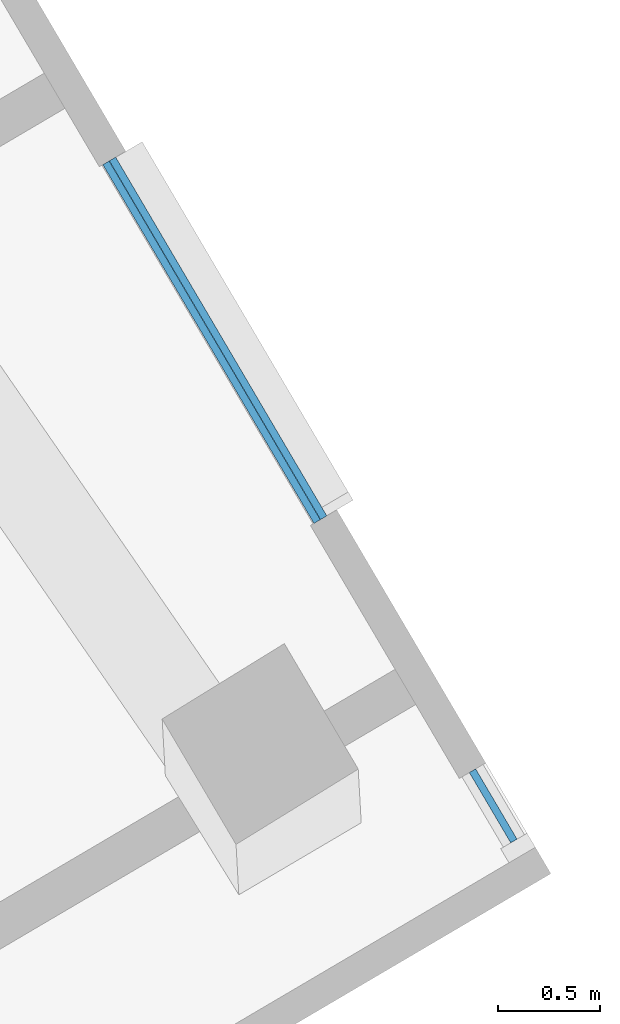
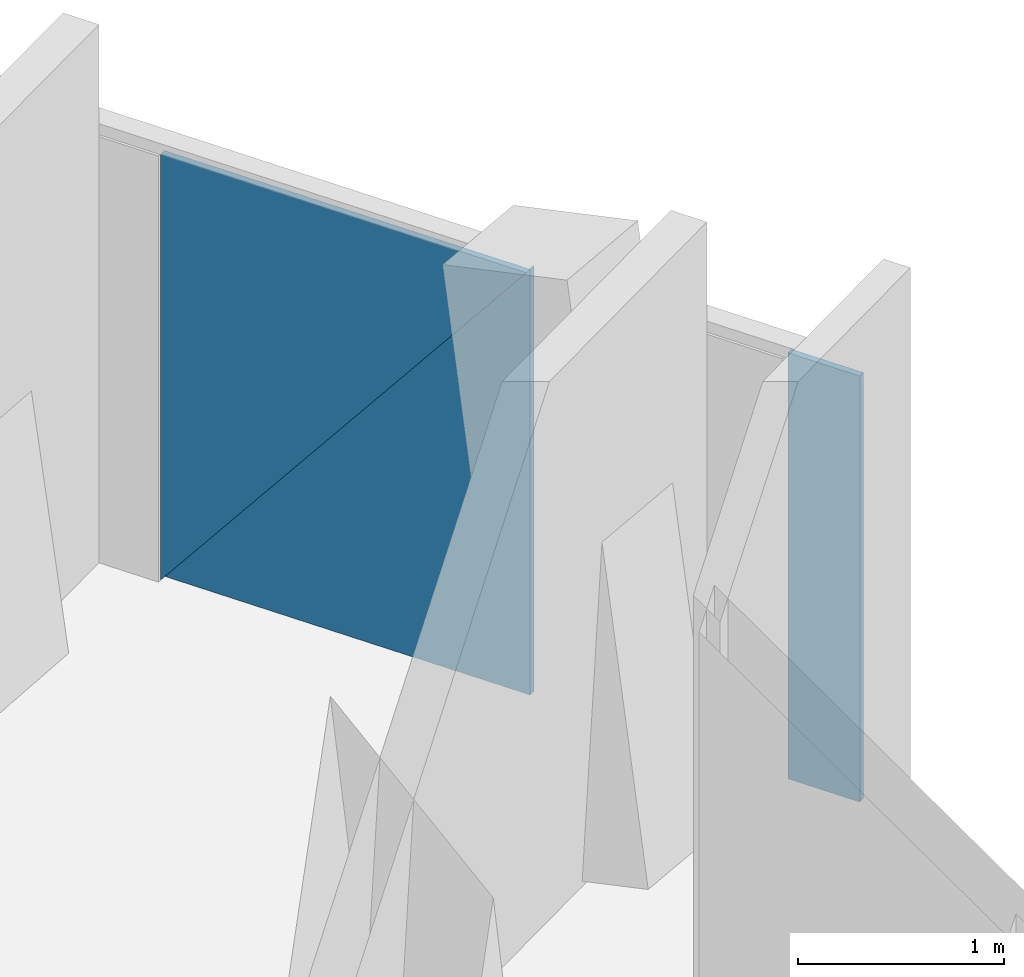
# One storey, part 17 of 26: 3 plates, 1 element without a shape of its own.
"""IFC4 building model written with IfcOpenShell, lengths in metres."""

from ifc_helpers import new_model, si_unit, direction, frame, origin, origin_2d, place, context, subcontext, project, spatial, polyline, rectangle, outline, extrude, material, layer, layer_set, type_object, element, aggregate, save


model = new_model("IFC4")

# Units and contexts
model_context = context("Model", 3, precision=1e-05, world=origin(), true_north=direction((0.0, 1.0)))
body_context = subcontext(model_context, "Body", "Model", "MODEL_VIEW")
ifc_project = project(units=[si_unit("LENGTHUNIT", "METRE"), si_unit("AREAUNIT", "SQUARE_METRE"), si_unit("VOLUMEUNIT", "CUBIC_METRE"), si_unit("PLANEANGLEUNIT", "RADIAN"), si_unit("MASSUNIT", "GRAM", prefix="KILO")], contexts=[model_context])

# Site, building, storey
site_placement = place(None, origin())
site = spatial("IfcSite", under=ifc_project, at=site_placement, CompositionType="ELEMENT")
building_placement = place(site_placement, origin())
building = spatial("IfcBuilding", under=site, at=building_placement, Name="Verdalira Terraces Hotel", CompositionType="ELEMENT")
storey_placement = place(building_placement, frame((0.0, 0.0, 281.0)))
storey = spatial("IfcBuildingStorey", under=building, at=storey_placement, Name="L69", CompositionType="ELEMENT", Elevation=281.0)

# Curtain wall, plates
ifc_material_1 = material(Name="Clear glass", Category="glass")
ifc_layer_1 = layer(ifc_material_1, 0.14990234375)
ifc_layer_set_1 = layer_set([ifc_layer_1], Name="CW3 curtain wall")
curtain_wall_type = type_object("IfcCurtainWallType", Name="CW3 curtain wall", PredefinedType="NOTDEFINED", material=ifc_layer_set_1)
curtain_wall_placement = place(storey_placement, origin())
curtain_wall = element("IfcCurtainWall", 1, at=curtain_wall_placement, inside=storey, type_object=curtain_wall_type, Name="CW3 curtain wall L69 edge 33", PredefinedType="NOTDEFINED")
ifc_material_2 = material(Name="Clear glass", Category="glass")
ifc_layer_2 = layer(ifc_material_2, 0.035888671875)
ifc_layer_set_2 = layer_set([ifc_layer_2], Name="CW3 glass unit 36")
plate_type = type_object("IfcPlateType", Name="CW3 glass unit 36", PredefinedType="CURTAIN_PANEL", material=ifc_layer_set_2)
plate_1_placement = place(storey_placement, frame((37.830811, 19.400146, 0.0), z_axis=(0.0, 0.0, 1.0), x_axis=(-0.507237567, 0.861806272, 0.0)))
plate_1 = element("IfcPlate", 2, at=plate_1_placement, type_object=plate_type, Name="CW3 glass unit", PredefinedType="CURTAIN_PANEL", context=body_context, shape_type="SweptSolid", body=[
    extrude(rectangle(XDim=0.399902, YDim=0.035889, at=origin_2d()), origin(), (0.0, 0.0, 1.0), 2.524902),
])
plate_2_placement = place(storey_placement, frame((36.466553, 21.683105, 1.262451), z_axis=(0.861806272, 0.507237567, 0.0), x_axis=(-0.507237567, 0.861806272, 0.0)))
plate_2 = element("IfcPlate", 3, at=plate_2_placement, type_object=plate_type, Name="CW3 glass unit", PredefinedType="CURTAIN_PANEL", context=body_context, shape_type="SweptSolid", body=[
    extrude(outline(polyline([(-1.020508, -1.262451), (1.020508, -1.262451), (-1.020508, 1.262451), (-1.020508, -1.262451)])), origin(), (0.0, 0.0, 1.0), 0.035889),
])
plate_3_placement = place(storey_placement, frame((36.43457, 21.664307, 1.262451), z_axis=(0.861806272, 0.507237567, 0.0), x_axis=(-0.507237567, 0.861806272, 0.0)))
plate_3 = element("IfcPlate", 4, at=plate_3_placement, type_object=plate_type, Name="CW3 glass unit", PredefinedType="CURTAIN_PANEL", context=body_context, shape_type="SweptSolid", body=[
    extrude(outline(polyline([(1.020508, -1.262451), (1.020508, 1.262451), (-1.020508, 1.262451), (1.020508, -1.262451)])), origin(), (0.0, 0.0, 1.0), 0.035889),
])
aggregate(curtain_wall, [plate_1, plate_2, plate_3])

save(model, "model.ifc")
